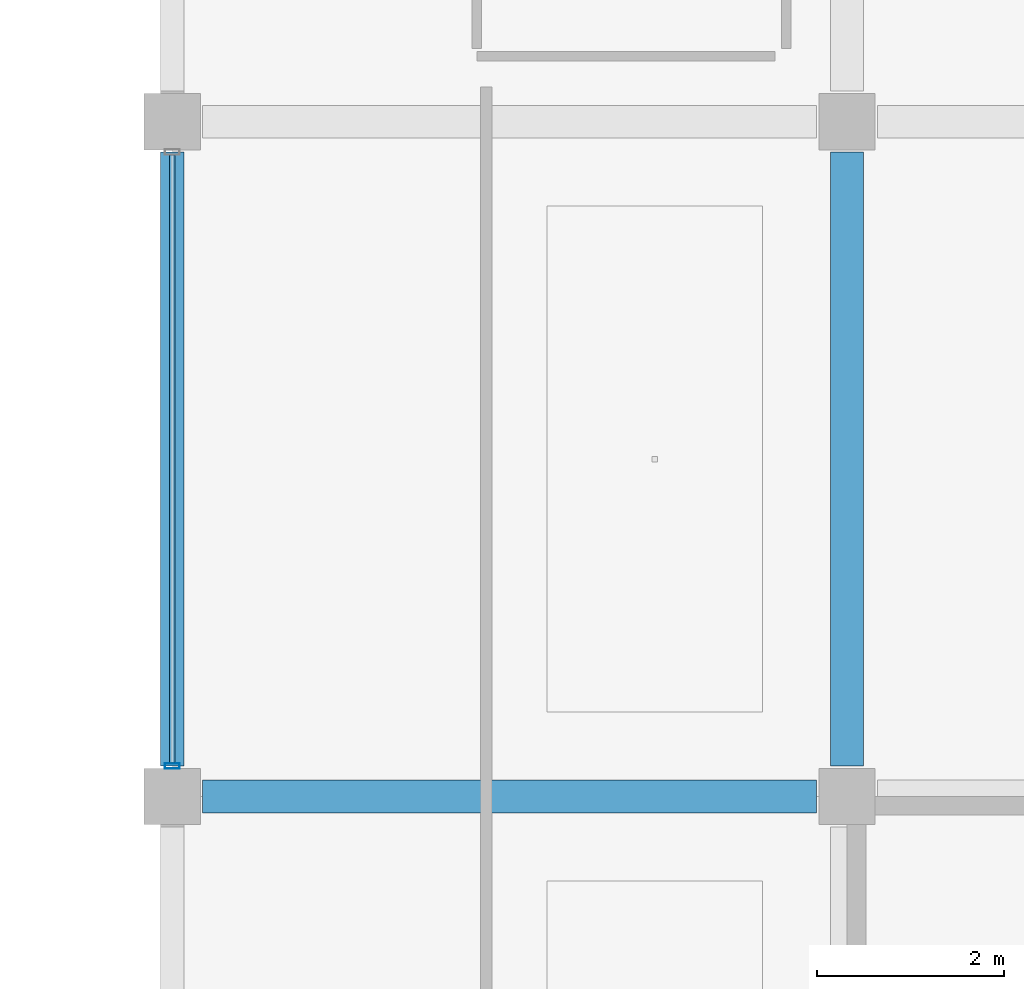
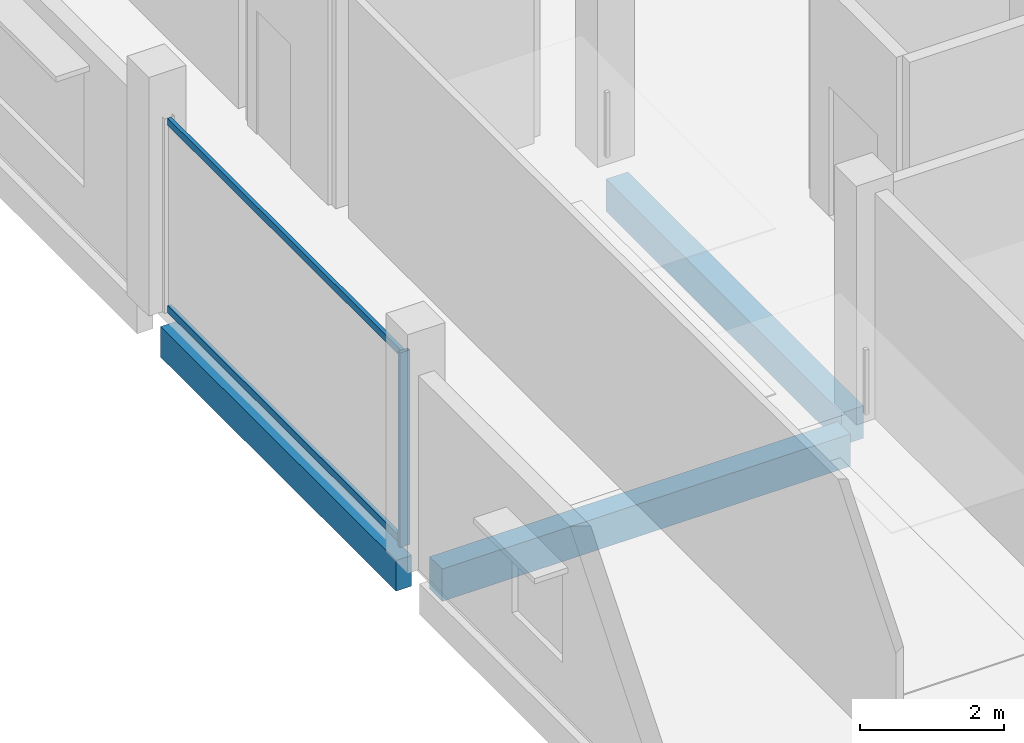
# One storey, part 18 of 59: 3 beams, 3 members, 1 element without a shape of its own.
"""IFC4 building model written with IfcOpenShell, lengths in metres."""

from ifc_helpers import new_model, si_unit, direction, frame, origin, origin_2d, place, context, subcontext, project, spatial, rectangle, hollow_rectangle, extrude, material, layer, layer_set, material_profile, profile_set, type_object, element, aggregate, save


model = new_model("IFC4")

# Units and contexts
model_context = context("Model", 3, precision=1e-05, world=origin(), true_north=direction((0.0, 1.0)))
body_context = subcontext(model_context, "Body", "Model", "MODEL_VIEW")
ifc_project = project(units=[si_unit("LENGTHUNIT", "METRE"), si_unit("AREAUNIT", "SQUARE_METRE"), si_unit("VOLUMEUNIT", "CUBIC_METRE"), si_unit("PLANEANGLEUNIT", "RADIAN"), si_unit("MASSUNIT", "GRAM", prefix="KILO")], contexts=[model_context])

# Site, building, storey
site_placement = place(None, origin())
site = spatial("IfcSite", under=ifc_project, at=site_placement, CompositionType="ELEMENT")
building_placement = place(site_placement, origin())
building = spatial("IfcBuilding", under=site, at=building_placement, Name="Kangsadwip Square Police Headquarters", CompositionType="ELEMENT")
storey_placement = place(building_placement, frame((0.0, 0.0, 21.60009765625)))
storey = spatial("IfcBuildingStorey", under=building, at=storey_placement, Name="L05", CompositionType="ELEMENT", Elevation=21.60009765625)

# Curtain wall, members
ifc_material_1 = material(Name="Thermally broken anodised aluminium AW-6063-T6", Category="aluminium")
ifc_layer = layer(ifc_material_1, 0.159912109375)
ifc_layer_set = layer_set([ifc_layer], Name="Thermally broken anodised aluminium AW-6063-T6")
curtain_wall_type = type_object("IfcCurtainWallType", Name="CourtScreen6610x3300", PredefinedType="USERDEFINED", material=ifc_layer_set)
curtain_wall_placement = place(storey_placement, origin())
curtain_wall = element("IfcCurtainWall", 1, at=curtain_wall_placement, inside=storey, type_object=curtain_wall_type, Name="Curtain Wall CW-L05-1440-0651", ObjectType="GLAZED_SCREEN", PredefinedType="USERDEFINED")
ifc_material_2 = material(Name="Thermally broken anodised aluminium AW-6063-T6", Category="aluminium")
ifc_material_profile_1 = material_profile(ifc_material_2, hollow_rectangle(XDim=0.06005859375, YDim=0.159912109375, WallThickness=0.00390625, at=origin_2d()), Name="CWM 160X60X4")
ifc_profile_set_1 = profile_set([ifc_material_profile_1], Name="Thermally broken anodised aluminium AW-6063-T6")
member_type_1 = type_object("IfcMemberType", Name="CwMullion135x60", PredefinedType="MULLION", material=ifc_profile_set_1)
member_1_placement = place(storey_placement, frame((144.0, 65.125, 0.0), z_axis=(0.0, 0.0, 1.0), x_axis=(0.0, 1.0, 0.0)))
member_1 = element("IfcMember", 2, at=member_1_placement, type_object=member_type_1, Name="CW-52 mullion 1", PredefinedType="MULLION", context=body_context, shape_type="SweptSolid", body=[
    extrude(hollow_rectangle(XDim=0.06005859375, YDim=0.159912109375, WallThickness=0.00390625, at=origin_2d()), origin(), (0.0, 0.0, 1.0), 3.2998046875),
])
ifc_material_3 = material(Name="Thermally broken anodised aluminium AW-6063-T6", Category="aluminium")
ifc_material_profile_2 = material_profile(ifc_material_3, hollow_rectangle(XDim=0.06005859375, YDim=0.1201171875, WallThickness=0.00390625, at=origin_2d()), Name="CWT 120X60X4")
ifc_profile_set_2 = profile_set([ifc_material_profile_2], Name="Thermally broken anodised aluminium AW-6063-T6")
member_type_2 = type_object("IfcMemberType", Name="CwTransom120x55", PredefinedType="USERDEFINED", material=ifc_profile_set_2)
member_2_placement = place(storey_placement, frame((144.0, 65.155029296875, 0.059814453125), z_axis=(0.0, 1.0, 0.0), x_axis=(-1.0, 0.0, 0.0)))
member_2 = element("IfcMember", 3, at=member_2_placement, type_object=member_type_2, Name="CW-52 transom 1.1", ObjectType="TRANSOM", PredefinedType="USERDEFINED", context=body_context, shape_type="SweptSolid", body=[
    extrude(hollow_rectangle(XDim=0.06005859375, YDim=0.1201171875, WallThickness=0.00390625, at=origin_2d()), origin(), (0.0, 0.0, 1.0), 6.489990234375),
])
member_3_placement = place(storey_placement, frame((144.0, 65.155029296875, 3.239990234375), z_axis=(0.0, 1.0, 0.0), x_axis=(-1.0, 0.0, 0.0)))
member_3 = element("IfcMember", 4, at=member_3_placement, type_object=member_type_2, Name="CW-52 transom 1.2", ObjectType="TRANSOM", PredefinedType="USERDEFINED", context=body_context, shape_type="SweptSolid", body=[
    extrude(hollow_rectangle(XDim=0.06005859375, YDim=0.1201171875, WallThickness=0.00390625, at=origin_2d()), origin(), (0.0, 0.0, 1.0), 6.489990234375),
])
aggregate(curtain_wall, [member_1, member_2, member_3])

# Beams
ifc_material_4 = material(Name="Concrete M35 (35 MPa)", Category="concrete")
ifc_material_profile_3 = material_profile(ifc_material_4, rectangle(XDim=0.35009765625, YDim=0.550048828125, at=origin_2d()), Name="RC BM 550X350")
ifc_profile_set_3 = profile_set([ifc_material_profile_3], Name="Concrete M35 (35 MPa)")
beam_type_1 = type_object("IfcBeamType", Name="RcBeam550x350", PredefinedType="BEAM", material=ifc_profile_set_3)
for number, where, z_axis, x_axis, name in (
    (5, (144.324951171875, 64.800048828125, -0.4951171875), (1.0, 0.0, 0.0), (0.0, 1.0, 0.0), "Beam BM-L05-X-20-09"),
    (6, (151.199951171875, 65.125, -0.4951171875), (0.0, 1.0, 0.0), (-1.0, 0.0, 0.0), "Beam BM-L05-Y-21-09"),
):
    element("IfcBeam", number, at=place(storey_placement, frame(where, z_axis=z_axis, x_axis=x_axis)), inside=storey, type_object=beam_type_1, Name=name, PredefinedType="BEAM", context=body_context, shape_type="SweptSolid", body=[
        extrude(rectangle(XDim=0.35009765625, YDim=0.550048828125, at=origin_2d()), origin(), (0.0, 0.0, 1.0), 6.550048828125),
    ])
ifc_material_5 = material(Name="Concrete M35 (35 MPa)", Category="concrete")
ifc_material_profile_4 = material_profile(ifc_material_5, rectangle(XDim=0.25, YDim=0.52001953125, at=origin_2d()), Name="RC SPN 520X250")
ifc_profile_set_4 = profile_set([ifc_material_profile_4], Name="Concrete M35 (35 MPa)")
beam_type_2 = type_object("IfcBeamType", Name="RcSpandrel520x250", PredefinedType="SPANDREL", material=ifc_profile_set_4)
beam_placement = place(storey_placement, frame((144.0, 65.125, -0.47998046875), z_axis=(0.0, 1.0, 0.0), x_axis=(-1.0, 0.0, 0.0)))
element("IfcBeam", 7, at=beam_placement, inside=storey, type_object=beam_type_2, Name="Beam BM-L05-Y-20-09", PredefinedType="SPANDREL", context=body_context, shape_type="SweptSolid", body=[
    extrude(rectangle(XDim=0.25, YDim=0.52001953125, at=origin_2d()), origin(), (0.0, 0.0, 1.0), 6.550048828125),
])

save(model, "model.ifc")
